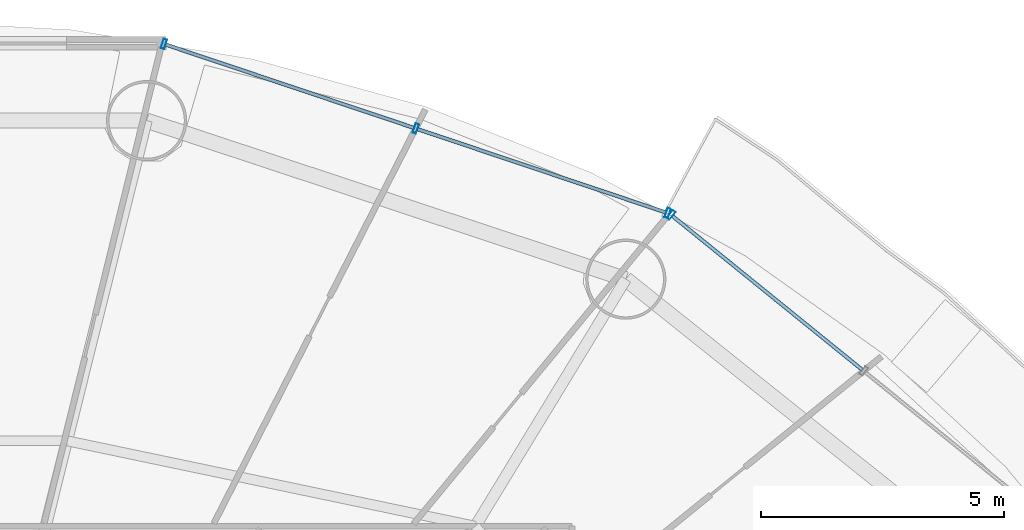
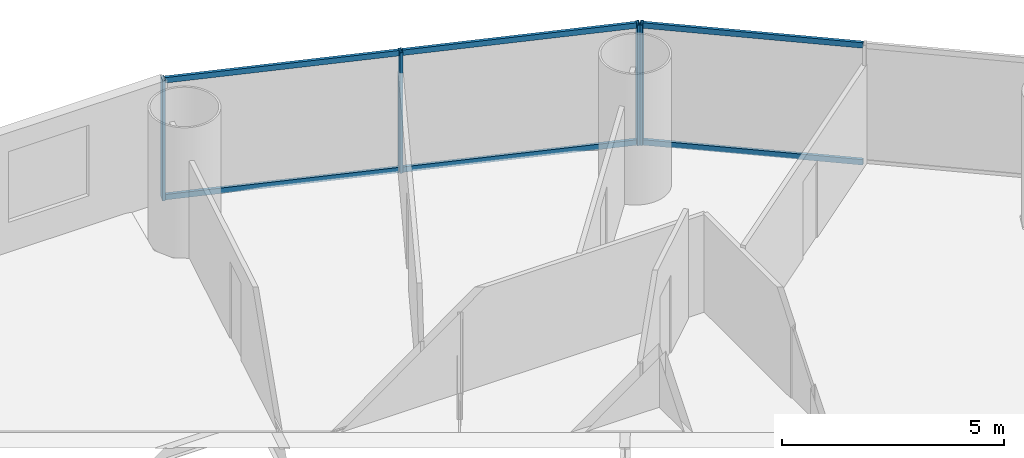
# One storey, part 18 of 28: 10 members, 2 elements without a shape of their own.
"""IFC4 building model written with IfcOpenShell, lengths in metres."""

from ifc_helpers import new_model, si_unit, direction, frame, origin, origin_2d, place, context, subcontext, project, spatial, hollow_rectangle, extrude, source, transform, mapped, material, material_profile, profile_set, type_object, element, aggregate, save


model = new_model("IFC4")

# Units and contexts
model_context = context("Model", 3, precision=1e-05, world=origin(), true_north=direction((-0.2419218956, 0.970295726276)))
body_context = subcontext(model_context, "Body", "Model", "MODEL_VIEW")
ifc_project = project(units=[si_unit("LENGTHUNIT", "METRE"), si_unit("AREAUNIT", "SQUARE_METRE"), si_unit("VOLUMEUNIT", "CUBIC_METRE"), si_unit("PLANEANGLEUNIT", "RADIAN"), si_unit("MASSUNIT", "GRAM", prefix="KILO")], contexts=[model_context])

# Site, building, storey
site_placement = place(None, origin())
site = spatial("IfcSite", under=ifc_project, at=site_placement, CompositionType="ELEMENT")
building_placement = place(site_placement, origin())
building = spatial("IfcBuilding", under=site, at=building_placement, Name="Cobrevalo Terracotta Tower", CompositionType="ELEMENT")
storey_placement = place(building_placement, frame((0.0, 0.0, 42.0)))
storey = spatial("IfcBuildingStorey", under=building, at=storey_placement, Name="L10", CompositionType="ELEMENT", Elevation=42.0)

# Curtain wall, member
ifc_material = material(Name="Anodized aluminium", Category="aluminium")
curtain_wall_type = type_object("IfcCurtainWallType", Name="Lower-tower unitised acoustic low-E curtain wall CW-U1", PredefinedType="NOTDEFINED", material=ifc_material)
curtain_wall_1_placement = place(storey_placement, origin())
curtain_wall_1 = element("IfcCurtainWall", 1, at=curtain_wall_1_placement, inside=storey, type_object=curtain_wall_type, Name="L10 curtain wall CW-L10-S02", PredefinedType="NOTDEFINED")
ifc_material_profile_1 = material_profile(ifc_material, hollow_rectangle(XDim=0.074951171875, YDim=0.199951171875, WallThickness=0.0048828125, at=origin_2d()), Name="CWM 75x200")
ifc_profile_set_1 = profile_set([ifc_material_profile_1], Name="Anodized aluminium")
member_type_1 = type_object("IfcMemberType", Name="Lower/mid tower unitised mullion 75x200", PredefinedType="MULLION", material=ifc_profile_set_1)
shared_shape_1 = source(origin(), body_context, "Body", "SweptSolid", [
    extrude(hollow_rectangle(XDim=0.074951171875, YDim=0.199951171875, WallThickness=0.0048828125, at=origin_2d()), origin(), (0.0, 0.0, 1.0), 3.320068359375),
])
member_1_placement = place(storey_placement, frame((54.1259765625, 46.289306640625, 0.0), z_axis=(0.0, 0.0, 1.0), x_axis=(-0.777003153187, 0.629496703675, 0.0)))
member_1 = element("IfcMember", 2, at=member_1_placement, type_object=member_type_1, Name="CW-L10-S02 vertical mullion 03", PredefinedType="MULLION", context=body_context, shape_type="MappedRepresentation", body=[
    mapped(shared_shape_1, transform((0.0, 0.0, 0.0), scale=1.0)),
])

# Curtain wall, members
curtain_wall_2_placement = place(storey_placement, origin())
curtain_wall_2 = element("IfcCurtainWall", 3, at=curtain_wall_2_placement, inside=storey, type_object=curtain_wall_type, Name="L10 curtain wall CW-L10-S03", PredefinedType="NOTDEFINED")
member_2_placement = place(storey_placement, frame((54.056884765625, 46.327392578125, 0.0), z_axis=(0.0, 0.0, 1.0), x_axis=(-0.948046393597, 0.318132103987, 0.0)))
member_2 = element("IfcMember", 4, at=member_2_placement, type_object=member_type_1, Name="CW-L10-S03 vertical mullion 01", PredefinedType="MULLION", context=body_context, shape_type="MappedRepresentation", body=[
    mapped(shared_shape_1, transform((0.0, 0.0, 0.0), scale=1.0)),
])
member_3_placement = place(storey_placement, frame((48.873291015625, 48.06689453125, 0.0), z_axis=(0.0, 0.0, 1.0), x_axis=(-0.948046393597, 0.318132103987, 0.0)))
member_3 = element("IfcMember", 5, at=member_3_placement, type_object=member_type_1, Name="CW-L10-S03 vertical mullion 02", PredefinedType="MULLION", context=body_context, shape_type="MappedRepresentation", body=[
    mapped(shared_shape_1, transform((0.0, 0.0, 0.0), scale=1.0)),
])
member_4_placement = place(storey_placement, frame((43.689697265625, 49.806396484375, 0.0), z_axis=(0.0, 0.0, 1.0), x_axis=(-0.948046393597, 0.318132103987, 0.0)))
member_4 = element("IfcMember", 6, at=member_4_placement, type_object=member_type_1, Name="CW-L10-S03 vertical mullion 03", PredefinedType="MULLION", context=body_context, shape_type="MappedRepresentation", body=[
    mapped(shared_shape_1, transform((0.0, 0.0, 0.0), scale=1.0)),
])

# Member
ifc_material_profile_2 = material_profile(ifc_material, hollow_rectangle(XDim=0.074951171875, YDim=0.14990234375, WallThickness=0.00439453125, at=origin_2d()), Name="CWT 75x150")
ifc_profile_set_2 = profile_set([ifc_material_profile_2], Name="Anodized aluminium")
member_type_2 = type_object("IfcMemberType", Name="Tower unitised aluminium transom 75x150", PredefinedType="USERDEFINED", material=ifc_profile_set_2)
shared_shape_2 = source(origin(), body_context, "Body", "SweptSolid", [
    extrude(hollow_rectangle(XDim=0.074951171875, YDim=0.14990234375, WallThickness=0.00439453125, at=origin_2d()), origin(), (0.0, 0.0, 1.0), 5.0234375),
])
member_5_placement = place(storey_placement, frame((58.060302734375, 43.10205078125, 0.050048828125), z_axis=(-0.777022991593, 0.629472215857, 0.0), x_axis=(-0.629472215857, -0.777022991593, 0.0)))
member_5 = element("IfcMember", 7, at=member_5_placement, type_object=member_type_2, Name="CW-L10-S02 transom B02-T1", ObjectType="TRANSOM", PredefinedType="USERDEFINED", context=body_context, shape_type="MappedRepresentation", body=[
    mapped(shared_shape_2, transform((0.0, 0.0, 0.0), scale=1.0)),
])

member_6_placement = place(storey_placement, frame((58.060302734375, 43.10205078125, 3.27001953125), z_axis=(-0.777022991593, 0.629472215857, 0.0), x_axis=(-0.629472215857, -0.777022991593, 0.0)))
member_6 = element("IfcMember", 8, at=member_6_placement, type_object=member_type_2, Name="CW-L10-S02 transom B02-T2", ObjectType="TRANSOM", PredefinedType="USERDEFINED", context=body_context, shape_type="MappedRepresentation", body=[
    mapped(shared_shape_2, transform((0.0, 0.0, 0.0), scale=1.0)),
])

aggregate(curtain_wall_1, [member_1, member_5, member_6])

shared_shape_3 = source(origin(), body_context, "Body", "SweptSolid", [
    extrude(hollow_rectangle(XDim=0.074951171875, YDim=0.14990234375, WallThickness=0.00439453125, at=origin_2d()), origin(), (0.0, 0.0, 1.0), 5.387939453125),
])
member_7_placement = place(storey_placement, frame((54.01904296875, 46.340087890625, 0.050048828125), z_axis=(-0.94804244582, 0.318143868278, 0.0), x_axis=(-0.318143868278, -0.94804244582, 0.0)))
member_7 = element("IfcMember", 9, at=member_7_placement, type_object=member_type_2, Name="CW-L10-S03 transom B01-T1", ObjectType="TRANSOM", PredefinedType="USERDEFINED", context=body_context, shape_type="MappedRepresentation", body=[
    mapped(shared_shape_3, transform((0.0, 0.0, 0.0), scale=1.0)),
])

member_8_placement = place(storey_placement, frame((54.01904296875, 46.340087890625, 3.27001953125), z_axis=(-0.94804244582, 0.318143868278, 0.0), x_axis=(-0.318143868278, -0.94804244582, 0.0)))
member_8 = element("IfcMember", 10, at=member_8_placement, type_object=member_type_2, Name="CW-L10-S03 transom B01-T2", ObjectType="TRANSOM", PredefinedType="USERDEFINED", context=body_context, shape_type="MappedRepresentation", body=[
    mapped(shared_shape_3, transform((0.0, 0.0, 0.0), scale=1.0)),
])

member_9_placement = place(storey_placement, frame((48.83544921875, 48.07958984375, 0.050048828125), z_axis=(-0.94804244582, 0.318143868278, 0.0), x_axis=(-0.318143868278, -0.94804244582, 0.0)))
member_9 = element("IfcMember", 11, at=member_9_placement, type_object=member_type_2, Name="CW-L10-S03 transom B02-T1", ObjectType="TRANSOM", PredefinedType="USERDEFINED", context=body_context, shape_type="MappedRepresentation", body=[
    mapped(shared_shape_3, transform((0.0, 0.0, 0.0), scale=1.0)),
])

member_10_placement = place(storey_placement, frame((48.83544921875, 48.07958984375, 3.27001953125), z_axis=(-0.94804244582, 0.318143868278, 0.0), x_axis=(-0.318143868278, -0.94804244582, 0.0)))
member_10 = element("IfcMember", 12, at=member_10_placement, type_object=member_type_2, Name="CW-L10-S03 transom B02-T2", ObjectType="TRANSOM", PredefinedType="USERDEFINED", context=body_context, shape_type="MappedRepresentation", body=[
    mapped(shared_shape_3, transform((0.0, 0.0, 0.0), scale=1.0)),
])

aggregate(curtain_wall_2, [member_2, member_3, member_4, member_7, member_8, member_9, member_10])

save(model, "model.ifc")
